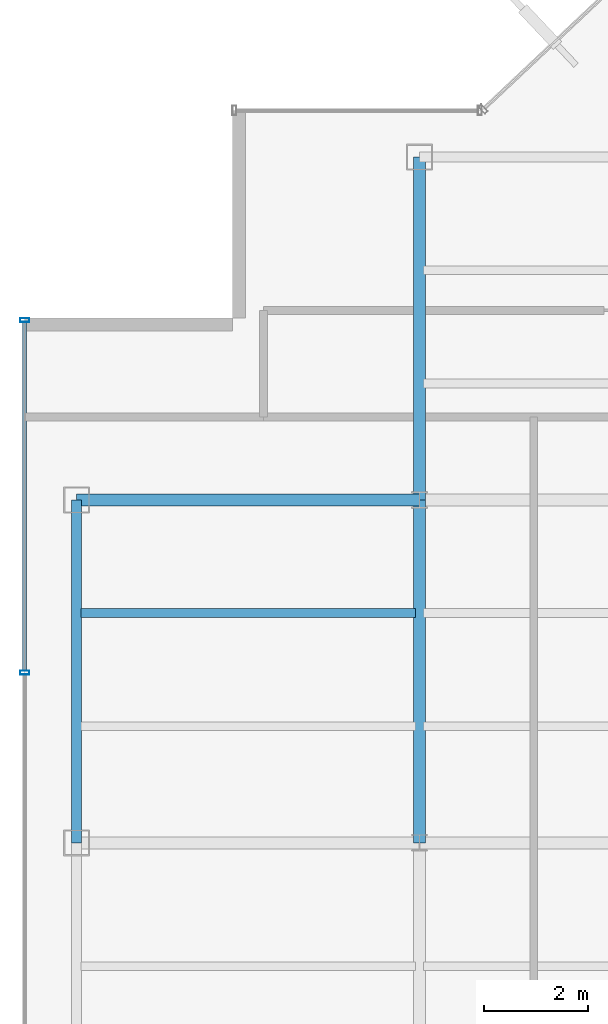
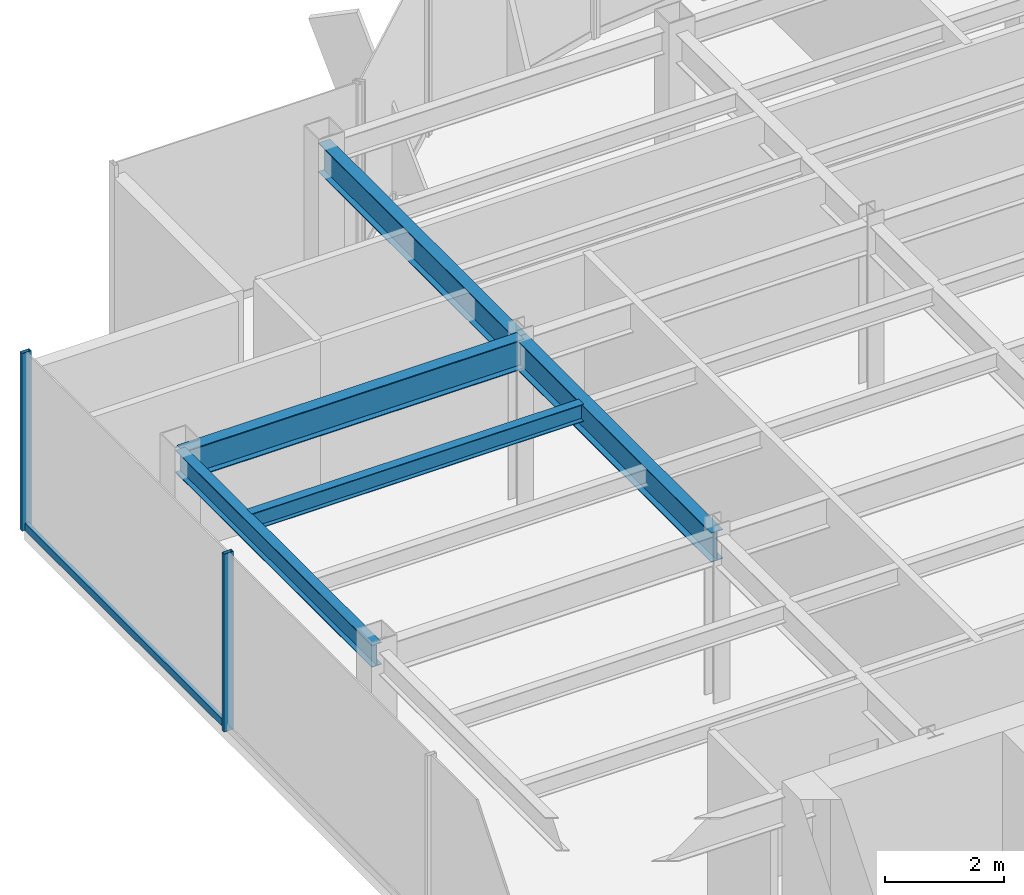
# One storey, part 7 of 22: 5 beams, 3 members, 1 element without a shape of its own.
"""IFC4 building model written with IfcOpenShell, lengths in metres."""

from ifc_helpers import new_model, si_unit, derived_unit, direction, frame, origin, origin_2d, place, context, subcontext, project, spatial, hollow_rectangle, i_section, extrude, source, transform, mapped, material, material_profile, profile_set, type_object, element, aggregate, save


model = new_model("IFC4")

# Units and contexts
model_context = context("Model", 3, precision=1e-05, world=origin(), true_north=direction((0.0, 1.0)))
body_context = subcontext(model_context, "Body", "Model", "MODEL_VIEW")
ifc_project = project(units=[si_unit("LENGTHUNIT", "METRE"), si_unit("AREAUNIT", "SQUARE_METRE"), si_unit("VOLUMEUNIT", "CUBIC_METRE"), si_unit("PLANEANGLEUNIT", "RADIAN"), si_unit("MASSUNIT", "GRAM", prefix="KILO"), derived_unit("THERMALTRANSMITTANCEUNIT", [(si_unit("POWERUNIT", "WATT"), 1), (si_unit("LENGTHUNIT", "METRE"), -2), (si_unit("THERMODYNAMICTEMPERATUREUNIT", "KELVIN"), -1)])], contexts=[model_context])

# Site, building, storey
site_placement = place(None, origin())
site = spatial("IfcSite", under=ifc_project, at=site_placement, CompositionType="ELEMENT")
building_placement = place(site_placement, origin())
building = spatial("IfcBuilding", under=site, at=building_placement, Name="Skarnbrae Concourse Arena and Tower", CompositionType="ELEMENT")
storey_placement = place(building_placement, frame((0.0, 0.0, 225.10009765625)))
storey = spatial("IfcBuildingStorey", under=building, at=storey_placement, Name="L58", CompositionType="ELEMENT", Elevation=225.10009765625)

# Beams
ifc_material_1 = material(Name="Steel CSA G40.21 350W", Category="steel")
ifc_material_profile_1 = material_profile(ifc_material_1, i_section(OverallWidth=0.22802734375, OverallDepth=0.60791015625, WebThickness=0.01123046875, FlangeThickness=0.017333984375, at=origin_2d()), Name="W610X113")
ifc_profile_set_1 = profile_set([ifc_material_profile_1], Name="Steel CSA G40.21 350W")
beam_type_1 = type_object("IfcBeamType", Name="BM-GIRD-W610X113", PredefinedType="BEAM", material=ifc_profile_set_1)
shared_shape_1 = source(origin(), body_context, "Body", "SweptSolid", [
    extrude(i_section(OverallWidth=0.22802734375, OverallDepth=0.60791015625, WebThickness=0.01123046875, FlangeThickness=0.017333984375, at=origin_2d()), origin(), (0.0, 0.0, 1.0), 6.60009765625),
])
for number, where, z_axis, x_axis, name in (
    (1, (1.0, 27.800048828125, 3.095947265625), (1.0, 0.0, 0.0), (0.0, 1.0, 0.0), "L58 Primary E-W girder Y27.8-1"),
    (2, (7.60009765625, 21.199951171875, 3.095947265625), (0.0, 1.0, 0.0), (-1.0, 0.0, 0.0), "L58 Primary N-S girder X7.6-2"),
):
    element("IfcBeam", number, at=place(storey_placement, frame(where, z_axis=z_axis, x_axis=x_axis)), inside=storey, type_object=beam_type_1, Name=name, PredefinedType="BEAM", context=body_context, shape_type="MappedRepresentation", body=[
        mapped(shared_shape_1, transform((0.0, 0.0, 0.0))),
    ])
ifc_material_profile_2 = material_profile(ifc_material_1, i_section(OverallWidth=0.19091796875, OverallDepth=0.4599609375, WebThickness=0.010009765625, FlangeThickness=0.01611328125, at=origin_2d()), Name="W460X82")
ifc_profile_set_2 = profile_set([ifc_material_profile_2], Name="Steel CSA G40.21 350W")
beam_type_2 = type_object("IfcBeamType", Name="BM-SPAN-W460X82", PredefinedType="SPANDREL", material=ifc_profile_set_2)
shared_shape_2 = source(origin(), body_context, "Body", "SweptSolid", [
    extrude(i_section(OverallWidth=0.19091796875, OverallDepth=0.4599609375, WebThickness=0.010009765625, FlangeThickness=0.01611328125, at=origin_2d()), origin(), (0.0, 0.0, 1.0), 6.60009765625),
])
beam_1_placement = place(storey_placement, frame((1.0, 21.199951171875, 3.169921875), z_axis=(0.0, 1.0, 0.0), x_axis=(-1.0, 0.0, 0.0)))
element("IfcBeam", 3, at=beam_1_placement, inside=storey, type_object=beam_type_2, Name="L58 Perimeter spandrel X1.0-3", PredefinedType="SPANDREL", context=body_context, shape_type="MappedRepresentation", body=[
    mapped(shared_shape_2, transform((0.0, 0.0, 0.0))),
])
shared_shape_3 = source(origin(), body_context, "Body", "SweptSolid", [
    extrude(i_section(OverallWidth=0.22802734375, OverallDepth=0.60791015625, WebThickness=0.01123046875, FlangeThickness=0.017333984375, at=origin_2d()), origin(), (0.0, 0.0, 1.0), 6.599853515625),
])
beam_2_placement = place(storey_placement, frame((7.60009765625, 27.800048828125, 3.095947265625), z_axis=(0.0, 1.0, 0.0), x_axis=(-1.0, 0.0, 0.0)))
element("IfcBeam", 4, at=beam_2_placement, inside=storey, type_object=beam_type_1, Name="L58 Primary N-S girder X7.6-3", PredefinedType="BEAM", context=body_context, shape_type="MappedRepresentation", body=[
    mapped(shared_shape_3, transform((0.0, 0.0, 0.0))),
])
ifc_material_profile_3 = material_profile(ifc_material_1, i_section(OverallWidth=0.1708984375, OverallDepth=0.35498046875, WebThickness=0.007080078125, FlangeThickness=0.01171875, at=origin_2d()), Name="W360X51")
ifc_profile_set_3 = profile_set([ifc_material_profile_3], Name="Steel CSA G40.21 350W")
beam_type_3 = type_object("IfcBeamType", Name="BM-JOIST-W360X51", PredefinedType="JOIST", material=ifc_profile_set_3)
shared_shape_4 = source(origin(), body_context, "Body", "SweptSolid", [
    extrude(i_section(OverallWidth=0.1708984375, OverallDepth=0.35498046875, WebThickness=0.007080078125, FlangeThickness=0.01171875, at=origin_2d()), origin(), (0.0, 0.0, 1.0), 6.43994140625),
])
beam_3_placement = place(storey_placement, frame((1.080078125, 25.6220703125, 3.222412109375), z_axis=(1.0, 0.0, 0.0), x_axis=(0.0, 1.0, 0.0)))
element("IfcBeam", 5, at=beam_3_placement, inside=storey, type_object=beam_type_3, Name="L58 Secondary floor joist 2.2.1", PredefinedType="JOIST", context=body_context, shape_type="MappedRepresentation", body=[
    mapped(shared_shape_4, transform((0.0, 0.0, 0.0))),
])

# Curtain wall, members
ifc_material_2 = material(Name="Bronze anodised aluminium 6063-T6", Category="aluminium")
curtain_wall_type = type_object("IfcCurtainWallType", Name="CW-SYS-05-HIGHZONE", PredefinedType="USERDEFINED", material=ifc_material_2)
curtain_wall_placement = place(storey_placement, origin())
curtain_wall = element("IfcCurtainWall", 6, at=curtain_wall_placement, inside=storey, type_object=curtain_wall_type, Name="L58 Unitised curtain wall CW-L58-E18", ObjectType="UNITISED CURTAIN WALL", PredefinedType="USERDEFINED")
ifc_material_profile_4 = material_profile(ifc_material_2, hollow_rectangle(XDim=0.074951171875, YDim=0.179931640625, WallThickness=0.00390625, at=origin_2d()), Name="ALU-MULL-75X180")
ifc_profile_set_4 = profile_set([ifc_material_profile_4], Name="Bronze anodised aluminium 6063-T6")
member_type_1 = type_object("IfcMemberType", Name="CWM-CW-05", PredefinedType="MULLION", material=ifc_profile_set_4)
shared_shape_5 = source(origin(), body_context, "Body", "SweptSolid", [
    extrude(hollow_rectangle(XDim=0.074951171875, YDim=0.179931640625, WallThickness=0.00390625, at=origin_2d()), origin(), (0.0, 0.0, 1.0), 3.64990234375),
])
member_1_placement = place(storey_placement, frame((0.0, 31.262451171875, 0.0), z_axis=(0.0, 0.0, 1.0), x_axis=(0.0, -1.0, 0.0)))
member_1 = element("IfcMember", 7, at=member_1_placement, type_object=member_type_1, Name="CW-L58-E18 Mullion 1", PredefinedType="MULLION", context=body_context, shape_type="MappedRepresentation", body=[
    mapped(shared_shape_5, transform((0.0, 0.0, 0.0))),
])
member_2_placement = place(storey_placement, frame((0.0, 24.47509765625, 0.0), z_axis=(0.0, 0.0, 1.0), x_axis=(0.0, -1.0, 0.0)))
member_2 = element("IfcMember", 8, at=member_2_placement, type_object=member_type_1, Name="CW-L58-E18 Mullion 2", PredefinedType="MULLION", context=body_context, shape_type="MappedRepresentation", body=[
    mapped(shared_shape_5, transform((0.0, 0.0, 0.0))),
])
ifc_material_profile_5 = material_profile(ifc_material_2, hollow_rectangle(XDim=0.074951171875, YDim=0.14990234375, WallThickness=0.00390625, at=origin_2d()), Name="ALU-TRAN-75X150")
ifc_profile_set_5 = profile_set([ifc_material_profile_5], Name="Bronze anodised aluminium 6063-T6")
member_type_2 = type_object("IfcMemberType", Name="CWT-CW-05", PredefinedType="USERDEFINED", material=ifc_profile_set_5)
shared_shape_6 = source(origin(), body_context, "Body", "SweptSolid", [
    extrude(hollow_rectangle(XDim=0.074951171875, YDim=0.14990234375, WallThickness=0.00390625, at=origin_2d()), origin(), (0.0, 0.0, 1.0), 6.712646484375),
])
member_3_placement = place(storey_placement, frame((0.0, 31.22509765625, 0.074951171875), z_axis=(0.0, -1.0, 0.0), x_axis=(1.0, 0.0, 0.0)))
member_3 = element("IfcMember", 9, at=member_3_placement, type_object=member_type_2, Name="CW-L58-E18 Transom 1", ObjectType="TRANSOM", PredefinedType="USERDEFINED", context=body_context, shape_type="MappedRepresentation", body=[
    mapped(shared_shape_6, transform((0.0, 0.0, 0.0))),
])
aggregate(curtain_wall, [member_1, member_2, member_3])

save(model, "model.ifc")
